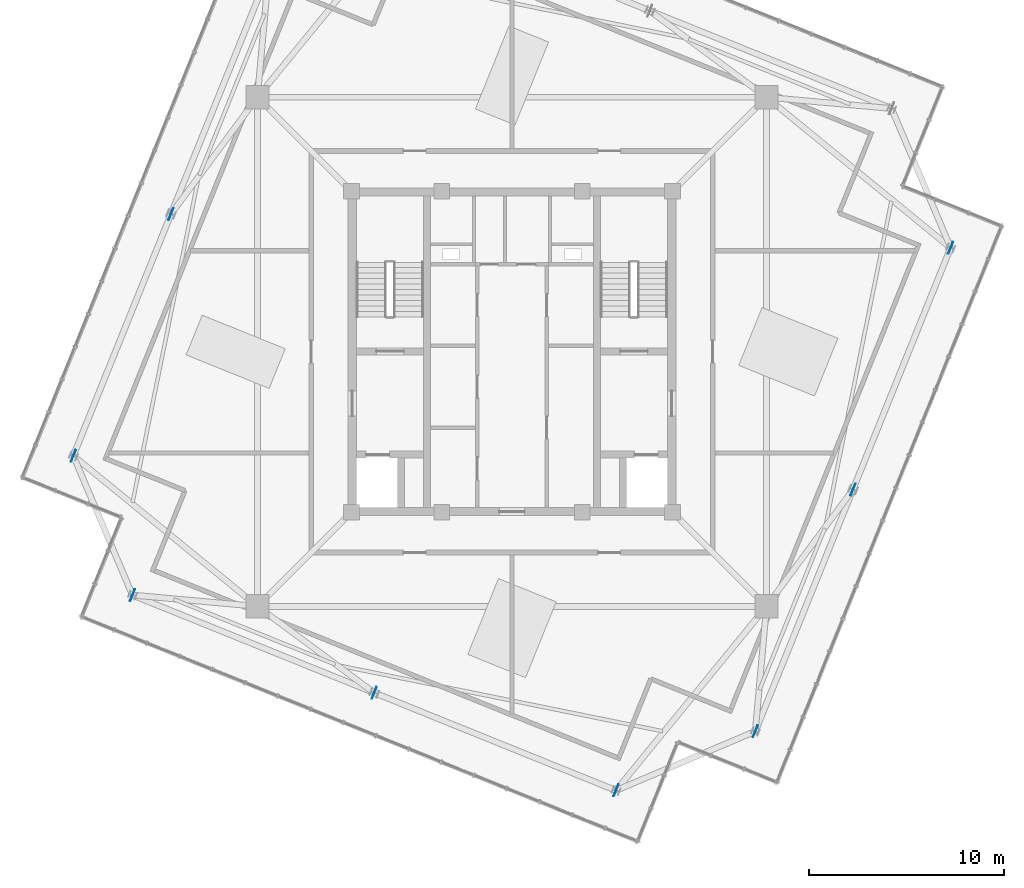
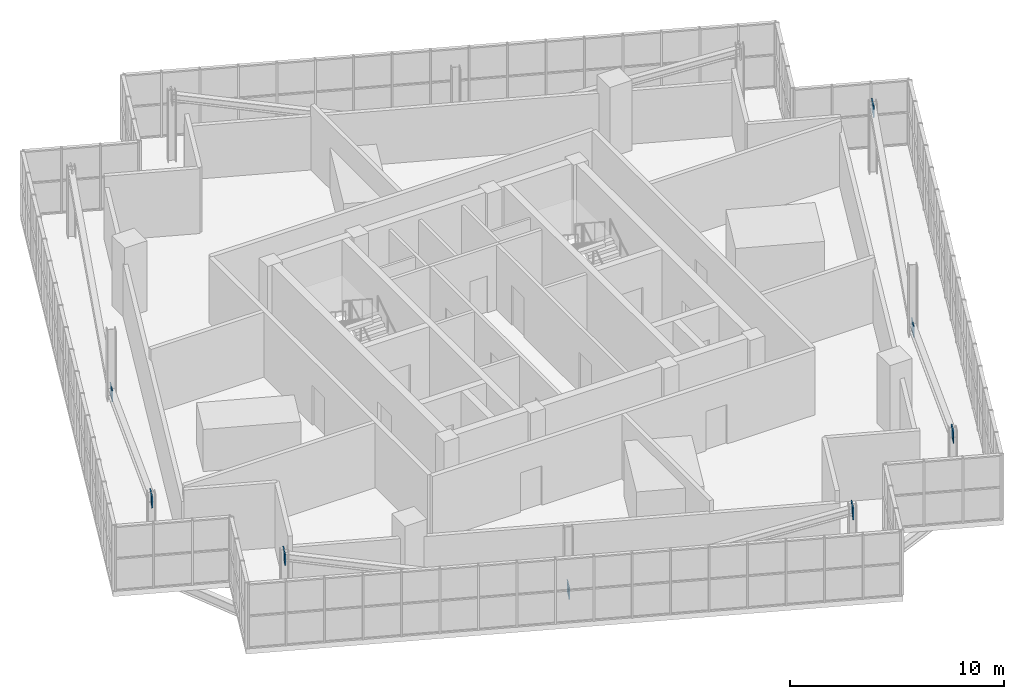
# One storey, part 21 of 26: 8 plates.
"""IFC4 building model written with IfcOpenShell, lengths in metres."""

from ifc_helpers import new_model, si_unit, direction, frame, origin, origin_2d, place, context, subcontext, project, spatial, rectangle, extrude, source, transform, mapped, material, layer, layer_set, type_object, element, save


model = new_model("IFC4")

# Units and contexts
model_context = context("Model", 3, precision=1e-05, world=origin(), true_north=direction((0.0, 1.0)))
body_context = subcontext(model_context, "Body", "Model", "MODEL_VIEW")
ifc_project = project(units=[si_unit("LENGTHUNIT", "METRE"), si_unit("AREAUNIT", "SQUARE_METRE"), si_unit("VOLUMEUNIT", "CUBIC_METRE"), si_unit("PLANEANGLEUNIT", "RADIAN"), si_unit("MASSUNIT", "GRAM", prefix="KILO"), si_unit("THERMODYNAMICTEMPERATUREUNIT", "KELVIN")], contexts=[model_context])

# Site, building, storey
site_placement = place(None, origin())
site = spatial("IfcSite", under=ifc_project, at=site_placement, CompositionType="ELEMENT")
building_placement = place(site_placement, origin())
building = spatial("IfcBuilding", under=site, at=building_placement, Name="Kosmvard Interchange Tower", CompositionType="ELEMENT")
storey_placement = place(building_placement, frame((0.0, 0.0, 325.60009765625)))
storey = spatial("IfcBuildingStorey", under=building, at=storey_placement, Name="L80", CompositionType="ELEMENT", Elevation=325.60009765625)

# Plates
ifc_material = material(Name="Steel S355", Category="steel")
ifc_layer = layer(ifc_material, 0.0380859375, Name="Steel S355")
ifc_layer_set = layer_set([ifc_layer], Name="Steel S355")
plate_type = type_object("IfcPlateType", Name="Lantern Base & Chord End Cap Stiffener 750x750x38 S355", PredefinedType="USERDEFINED", material=ifc_layer_set)
shared_shape = source(origin(), body_context, "Body", "SweptSolid", [
    extrude(rectangle(XDim=0.64990234375, YDim=0.0380859375, at=origin_2d()), origin(), (0.0, 0.0, 1.0), 0.64990234375),
])
for number, where, z_axis, x_axis, name in (
    (1, (12.504150390625, -19.50439453125, 3.324951171875), (0.0, 0.0, 1.0), (0.374606593416, 0.927183854567, 0.0), "L80 Crown Diagrid Node Gusset Plate LAS"),
    (2, (22.54345703125, 5.34423828125, 3.324951171875), (0.0, 0.0, 1.0), (0.374606593416, 0.927183854567, 0.0), "L80 Crown Diagrid Node Gusset Plate LBS"),
    (3, (17.523681640625, -7.080078125, 0.094970703125), (0.0, 0.0, 1.0), (0.374606593416, 0.927183854567, 0.0), "L80 Crown Diagrid Node Gusset Plate LMS"),
    (4, (-22.54345703125, -5.34423828125, 3.324951171875), (0.0, 0.0, 1.0), (0.374606593416, 0.927183854567, 0.0), "L80 Crown Diagrid Node Gusset Plate LBN"),
    (5, (-17.523681640625, 7.080078125, 0.094970703125), (0.0, 0.0, 1.0), (0.374606593416, 0.927183854567, 0.0), "L80 Crown Diagrid Node Gusset Plate LMN"),
    (6, (-19.50439453125, -12.504150390625, 3.324951171875), (0.0, 0.0, 1.0), (0.374606593416, 0.927183854567, 0.0), "L80 Crown Diagrid Node Gusset Plate LAW"),
    (7, (5.34423828125, -22.54345703125, 3.324951171875), (0.0, 0.0, 1.0), (0.374606593416, 0.927183854567, 0.0), "L80 Crown Diagrid Node Gusset Plate LBW"),
    (8, (-7.080078125, -17.523681640625, 0.094970703125), (0.0, 0.0, 1.0), (0.374606593416, 0.927183854567, 0.0), "L80 Crown Diagrid Node Gusset Plate LMW"),
):
    element("IfcPlate", number, at=place(storey_placement, frame(where, z_axis=z_axis, x_axis=x_axis)), inside=storey, type_object=plate_type, Name=name, ObjectType="STIFFENER_PLATE", PredefinedType="USERDEFINED", context=body_context, shape_type="MappedRepresentation", body=[
        mapped(shared_shape, transform((0.0, 0.0, 0.0), scale=1.0)),
    ])

save(model, "model.ifc")
